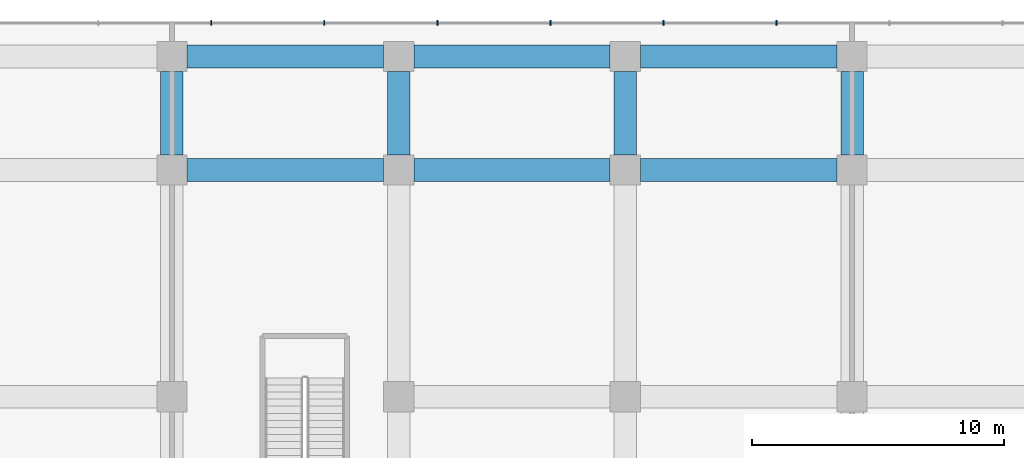
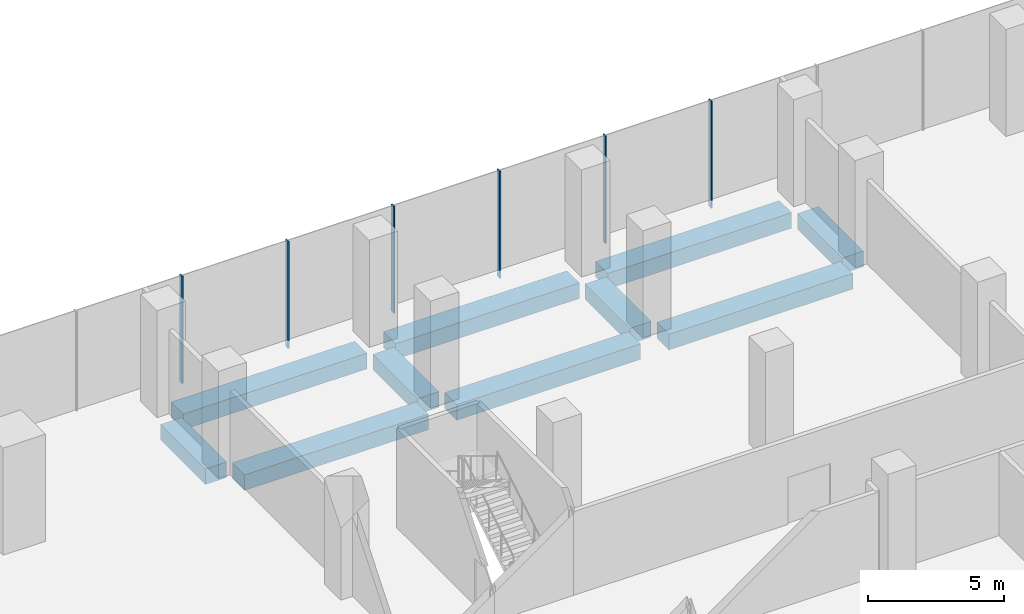
# One storey, part 22 of 42: 10 beams, 6 members, 1 element without a shape of its own.
"""IFC4 building model written with IfcOpenShell, lengths in metres."""

from ifc_helpers import new_model, si_unit, direction, frame, origin, origin_2d, place, context, subcontext, project, spatial, rectangle, extrude, material, layer, layer_set, material_profile, profile_set, type_object, element, aggregate, save


model = new_model("IFC4")

# Units and contexts
model_context = context("Model", 3, precision=1e-05, world=origin(), true_north=direction((0.0, 1.0)))
body_context = subcontext(model_context, "Body", "Model", "MODEL_VIEW")
ifc_project = project(units=[si_unit("LENGTHUNIT", "METRE"), si_unit("AREAUNIT", "SQUARE_METRE"), si_unit("VOLUMEUNIT", "CUBIC_METRE"), si_unit("PLANEANGLEUNIT", "RADIAN"), si_unit("MASSUNIT", "GRAM", prefix="KILO")], contexts=[model_context])

# Site, building, storey
site_placement = place(None, origin())
site = spatial("IfcSite", under=ifc_project, at=site_placement, CompositionType="ELEMENT")
building_placement = place(site_placement, origin())
building = spatial("IfcBuilding", under=site, at=building_placement, Name="Plateau Cross Towers", CompositionType="ELEMENT")
storey_placement = place(building_placement, frame((0.0, 0.0, 8.0)))
storey = spatial("IfcBuildingStorey", under=building, at=storey_placement, Name="L01", CompositionType="ELEMENT", Elevation=8.0)

# Curtain wall, members
ifc_material_1 = material(Name="Dark low-iron laminated glass", Category="glass")
ifc_layer = layer(ifc_material_1, 0.300048828125)
ifc_layer_set = layer_set([ifc_layer], Name="Dark low-iron laminated glass")
curtain_wall_type = type_object("IfcCurtainWallType", Name="Curtain wall structural silicone CW-C", PredefinedType="NOTDEFINED", material=ifc_layer_set)
curtain_wall_placement = place(storey_placement, origin())
curtain_wall = element("IfcCurtainWall", 1, at=curtain_wall_placement, inside=storey, type_object=curtain_wall_type, Name="ENV/P/L01/P1048_598", PredefinedType="NOTDEFINED")
ifc_material_2 = material(Name="Black anodised aluminium", Category="aluminium")
ifc_material_profile_1 = material_profile(ifc_material_2, rectangle(XDim=0.050048828125, YDim=0.199951171875, at=origin_2d()), Name="MULLION 50x200")
ifc_profile_set_1 = profile_set([ifc_material_profile_1], Name="Black anodised aluminium")
member_type = type_object("IfcMemberType", Name="Mullion 50x200 structural silicone", PredefinedType="MULLION", material=ifc_profile_set_1)
member_1_placement = place(storey_placement, frame((51.0, 59.85009765625, -0.35009765625), z_axis=(0.0, 0.0, 1.0), x_axis=(-1.0, 0.0, 0.0)))
member_1 = element("IfcMember", 2, at=member_1_placement, type_object=member_type, Name="CW-C mullion 13", PredefinedType="MULLION", context=body_context, shape_type="SweptSolid", body=[
    extrude(rectangle(XDim=0.050048828125, YDim=0.199951171875, at=origin_2d()), origin(), (0.0, 0.0, 1.0), 4.800048828125),
])
member_2_placement = place(storey_placement, frame((46.512451171875, 59.85009765625, -0.35009765625), z_axis=(0.0, 0.0, 1.0), x_axis=(-1.0, 0.0, 0.0)))
member_2 = element("IfcMember", 3, at=member_2_placement, type_object=member_type, Name="CW-C mullion 14", PredefinedType="MULLION", context=body_context, shape_type="SweptSolid", body=[
    extrude(rectangle(XDim=0.050048828125, YDim=0.199951171875, at=origin_2d()), origin(), (0.0, 0.0, 1.0), 4.800048828125),
])
member_3_placement = place(storey_placement, frame((42.02490234375, 59.85009765625, -0.35009765625), z_axis=(0.0, 0.0, 1.0), x_axis=(-1.0, 0.0, 0.0)))
member_3 = element("IfcMember", 4, at=member_3_placement, type_object=member_type, Name="CW-C mullion 15", PredefinedType="MULLION", context=body_context, shape_type="SweptSolid", body=[
    extrude(rectangle(XDim=0.050048828125, YDim=0.199951171875, at=origin_2d()), origin(), (0.0, 0.0, 1.0), 4.800048828125),
])
member_4_placement = place(storey_placement, frame((37.53759765625, 59.85009765625, -0.35009765625), z_axis=(0.0, 0.0, 1.0), x_axis=(-1.0, 0.0, 0.0)))
member_4 = element("IfcMember", 5, at=member_4_placement, type_object=member_type, Name="CW-C mullion 16", PredefinedType="MULLION", context=body_context, shape_type="SweptSolid", body=[
    extrude(rectangle(XDim=0.050048828125, YDim=0.199951171875, at=origin_2d()), origin(), (0.0, 0.0, 1.0), 4.800048828125),
])
member_5_placement = place(storey_placement, frame((33.050048828125, 59.85009765625, -0.35009765625), z_axis=(0.0, 0.0, 1.0), x_axis=(-1.0, 0.0, 0.0)))
member_5 = element("IfcMember", 6, at=member_5_placement, type_object=member_type, Name="CW-C mullion 17", PredefinedType="MULLION", context=body_context, shape_type="SweptSolid", body=[
    extrude(rectangle(XDim=0.050048828125, YDim=0.199951171875, at=origin_2d()), origin(), (0.0, 0.0, 1.0), 4.800048828125),
])
member_6_placement = place(storey_placement, frame((28.5625, 59.85009765625, -0.35009765625), z_axis=(0.0, 0.0, 1.0), x_axis=(-1.0, 0.0, 0.0)))
member_6 = element("IfcMember", 7, at=member_6_placement, type_object=member_type, Name="CW-C mullion 18", PredefinedType="MULLION", context=body_context, shape_type="SweptSolid", body=[
    extrude(rectangle(XDim=0.050048828125, YDim=0.199951171875, at=origin_2d()), origin(), (0.0, 0.0, 1.0), 4.800048828125),
])
aggregate(curtain_wall, [member_1, member_2, member_3, member_4, member_5, member_6])

# Beams
ifc_material_3 = material(Name="Concrete C50/60", Category="concrete")
ifc_material_profile_2 = material_profile(ifc_material_3, rectangle(XDim=0.89990234375, YDim=0.699951171875, at=origin_2d()), Name="RC 900x700")
ifc_profile_set_2 = profile_set([ifc_material_profile_2], Name="Concrete C50/60")
beam_type = type_object("IfcBeamType", Name="Podium band beam RC 900x700", PredefinedType="BEAM", material=ifc_profile_set_2)
for number, where, z_axis, x_axis, name in (
    (8, (27.60009765625, 54.0, -0.699951171875), (1.0, 0.0, 0.0), (0.0, 1.0, 0.0), "PB71@L01"),
    (9, (36.60009765625, 54.0, -0.699951171875), (1.0, 0.0, 0.0), (0.0, 1.0, 0.0), "PB72@L01"),
    (10, (45.60009765625, 54.0, -0.699951171875), (1.0, 0.0, 0.0), (0.0, 1.0, 0.0), "PB73@L01"),
    (11, (27.60009765625, 58.5, -0.699951171875), (1.0, 0.0, 0.0), (0.0, 1.0, 0.0), "PB84@L01"),
    (12, (36.60009765625, 58.5, -0.699951171875), (1.0, 0.0, 0.0), (0.0, 1.0, 0.0), "PB85@L01"),
    (13, (45.60009765625, 58.5, -0.699951171875), (1.0, 0.0, 0.0), (0.0, 1.0, 0.0), "PB86@L01"),
):
    element("IfcBeam", number, at=place(storey_placement, frame(where, z_axis=z_axis, x_axis=x_axis)), inside=storey, type_object=beam_type, Name=name, PredefinedType="BEAM", context=body_context, shape_type="SweptSolid", body=[
        extrude(rectangle(XDim=0.89990234375, YDim=0.699951171875, at=origin_2d()), origin(), (0.0, 0.0, 1.0), 7.7998046875),
    ])
for number, where, z_axis, x_axis, name in (
    (14, (27.0, 54.60009765625, -0.699951171875), (0.0, 1.0, 0.0), (-1.0, 0.0, 0.0), "PB122@L01"),
    (15, (36.0, 54.60009765625, -0.699951171875), (0.0, 1.0, 0.0), (-1.0, 0.0, 0.0), "PB131@L01"),
    (16, (45.0, 54.60009765625, -0.699951171875), (0.0, 1.0, 0.0), (-1.0, 0.0, 0.0), "PB138@L01"),
    (17, (54.0, 54.60009765625, -0.699951171875), (0.0, 1.0, 0.0), (-1.0, 0.0, 0.0), "PB147@L01"),
):
    element("IfcBeam", number, at=place(storey_placement, frame(where, z_axis=z_axis, x_axis=x_axis)), inside=storey, type_object=beam_type, Name=name, PredefinedType="BEAM", context=body_context, shape_type="SweptSolid", body=[
        extrude(rectangle(XDim=0.89990234375, YDim=0.699951171875, at=origin_2d()), origin(), (0.0, 0.0, 1.0), 3.2998046875),
    ])

save(model, "model.ifc")
